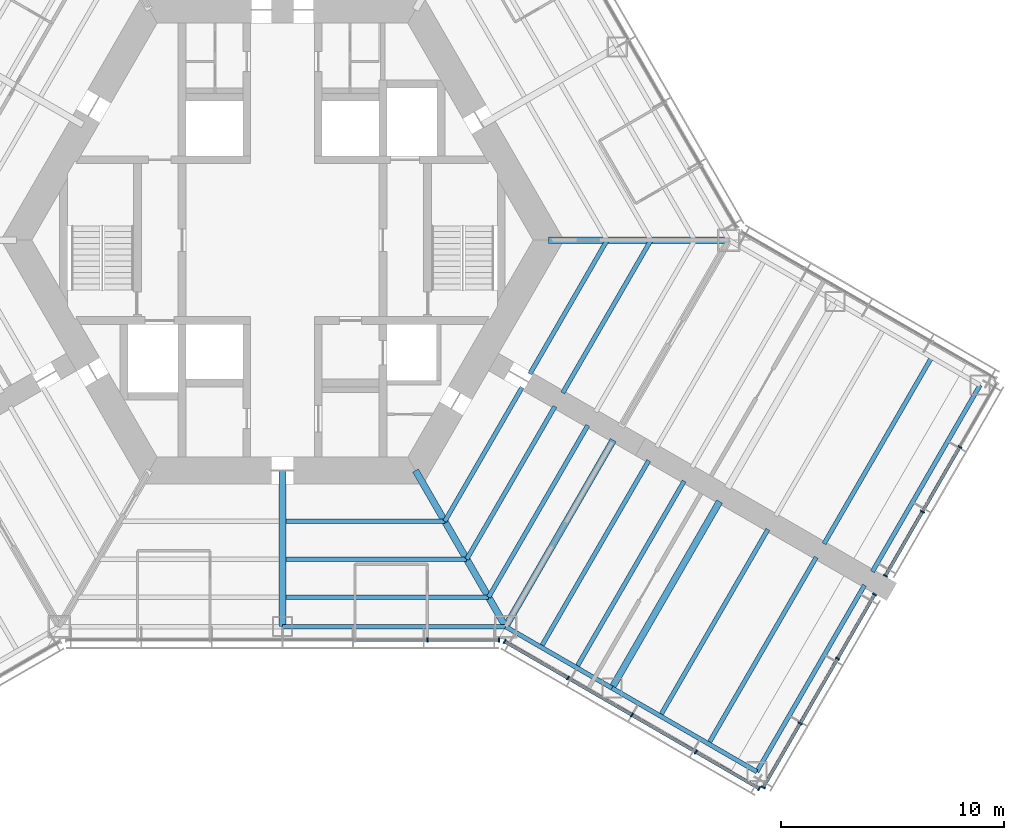
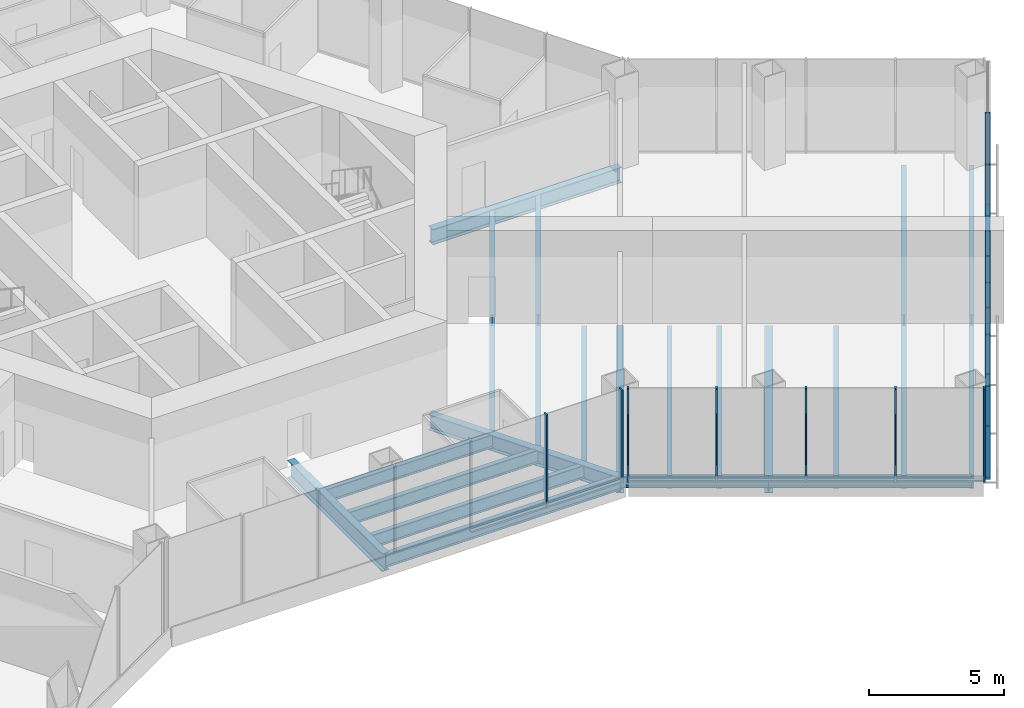
# One storey, part 4 of 17: 25 members, 23 beams, 4 elements without a shape of their own.
"""IFC4 building model written with IfcOpenShell, lengths in metres."""

import ifcopenshell
import ifcopenshell.guid

model = None  # the IFC model being written
_history = None  # IfcOwnerHistory: only IFC2X3 demands one
_inside = {}  # id of a spatial element -> (the spatial element, [elements in it])
_under = {}  # id of a project, library or spatial element -> (it, [spatial elements below it])
_declared = {}  # id of a project -> (the project, [libraries it declares])
_typed = {}  # id of a type object -> (the type object, [elements of that type])
_made_of = {}  # id of a material, layer set ... -> (it, [elements and type objects made of it])


def new_model(schema):
    """Start an empty IFC model of exactly this schema.

    Asked for "IFC4X3", IfcOpenShell would pick the latest addendum, in which some entities
    have other attributes; the version numbers below select the first issue.
    IFC2X3 requires an IfcOwnerHistory on every rooted entity: one is made here for all.
    """
    global model, _history
    if schema == "IFC4X3":
        model = ifcopenshell.file(schema_version=(4, 3, 0, 0))
    else:
        model = ifcopenshell.file(schema=schema)
    _inside.clear()
    _under.clear()
    _declared.clear()
    _typed.clear()
    _made_of.clear()
    _history = None
    if model.schema == "IFC2X3":
        org = make("IfcOrganization", Name="unknown")
        user = make(
            "IfcPersonAndOrganization",
            ThePerson=make("IfcPerson", FamilyName="unknown"),
            TheOrganization=org,
        )
        app = make(
            "IfcApplication",
            ApplicationDeveloper=org,
            Version="unknown",
            ApplicationFullName="unknown",
            ApplicationIdentifier="unknown",
        )
        _history = make(
            "IfcOwnerHistory",
            OwningUser=user,
            OwningApplication=app,
            ChangeAction="ADDED",
            CreationDate=0,
        )
    return model


def make(cls, **values):
    """One entity of the class cls with the attributes given. An attribute that is None is left unset."""
    return model.create_entity(
        cls, **{name: value for name, value in values.items() if value is not None}
    )


def rooted(cls, **values):
    """An entity with a GlobalId (a new one), such as an element, a storey or a relation."""
    return make(cls, GlobalId=ifcopenshell.guid.new(), OwnerHistory=_history, **values)


def si_unit(unit_type, name, prefix=None):
    """IfcSIUnit, for example si_unit("LENGTHUNIT", "METRE", prefix="MILLI")."""
    return make("IfcSIUnit", UnitType=unit_type, Prefix=prefix, Name=name)


def assignment(units):
    """IfcUnitAssignment: the units of a project."""
    return None if units is None else make("IfcUnitAssignment", Units=units)


def point(xyz):
    """IfcCartesianPoint."""
    return None if xyz is None else make("IfcCartesianPoint", Coordinates=xyz)


def direction(xyz):
    """IfcDirection."""
    return None if xyz is None else make("IfcDirection", DirectionRatios=xyz)


def frame(location, z_axis=None, x_axis=None):
    """IfcAxis2Placement3D, a coordinate frame: its origin and axes. An axis left out is left unset."""
    return make(
        "IfcAxis2Placement3D",
        Location=point(location),
        Axis=direction(z_axis),
        RefDirection=direction(x_axis),
    )


def frame_2d(location, x_axis=None):
    """IfcAxis2Placement2D, a coordinate frame in the plane: its origin and x axis."""
    return make(
        "IfcAxis2Placement2D", Location=point(location), RefDirection=direction(x_axis)
    )


def origin():
    """The frame at (0, 0, 0) with its axes left unset."""
    return frame((0.0, 0.0, 0.0))


def origin_2d():
    """The frame at (0, 0) in the plane with its x axis left unset."""
    return frame_2d((0.0, 0.0))


def place(relative_to, where):
    """IfcLocalPlacement: puts the frame where relative to a parent placement (None: the world)."""
    return make(
        "IfcLocalPlacement", PlacementRelTo=relative_to, RelativePlacement=where
    )


def context(
    kind, dimensions, precision=None, world=None, true_north=None, identifier=None
):
    """IfcGeometricRepresentationContext, for example the 3D "Model" context."""
    return make(
        "IfcGeometricRepresentationContext",
        ContextIdentifier=identifier,
        ContextType=kind,
        CoordinateSpaceDimension=dimensions,
        Precision=precision,
        WorldCoordinateSystem=world,
        TrueNorth=true_north,
    )


def subcontext(parent, identifier, kind, view, scale=None):
    """IfcGeometricRepresentationSubContext, for example "Body" below "Model"."""
    return make(
        "IfcGeometricRepresentationSubContext",
        ContextIdentifier=identifier,
        ContextType=kind,
        ParentContext=parent,
        TargetScale=scale,
        TargetView=view,
    )


def project(units=None, contexts=None):
    """IfcProject with its units and contexts."""
    return rooted(
        "IfcProject",
        Name="project",
        RepresentationContexts=contexts,
        UnitsInContext=assignment(units),
    )


def spatial(cls, under=None, at=None, **own):
    """A site, building, storey or space (cls), placed at a placement, below another one or the project."""
    s = rooted(cls, ObjectPlacement=at, **own)
    if under is not None:
        _under.setdefault(under.id(), (under, []))[1].append(s)
    return s


def profile(cls, at=None, kind="AREA", **sizes):
    """A parametric profile (cls). Its sizes go by their IFC names, for example OverallWidth=200.0."""
    return make(cls, ProfileType=kind, Position=at, **sizes)


def rectangle(**sizes):
    """IfcRectangleProfileDef."""
    return profile("IfcRectangleProfileDef", **sizes)


def i_section(**sizes):
    """IfcIShapeProfileDef."""
    return profile("IfcIShapeProfileDef", **sizes)


def extrude(swept, where, along, depth):
    """IfcExtrudedAreaSolid: the profile swept, set in the frame where, extruded along a direction by depth."""
    return make(
        "IfcExtrudedAreaSolid",
        SweptArea=swept,
        Position=where,
        ExtrudedDirection=direction(along),
        Depth=depth,
    )


def shape(context_of_items, identifier, shape_type, items):
    """IfcShapeRepresentation: the items that make up one representation, for example the "Body"."""
    return make(
        "IfcShapeRepresentation",
        ContextOfItems=context_of_items,
        RepresentationIdentifier=identifier,
        RepresentationType=shape_type,
        Items=items,
    )


def material(Name=None, Category=None):
    """IfcMaterial."""
    return make("IfcMaterial", Name=Name, Category=Category)


def material_profile(
    of_material, cross_section, Name=None, Category=None, Priority=None
):
    """IfcMaterialProfile: a cross section and its material."""
    return make(
        "IfcMaterialProfile",
        Name=Name,
        Material=of_material,
        Profile=cross_section,
        Priority=Priority,
        Category=Category,
    )


def profile_set(profiles, Name=None, composite=None):
    """IfcMaterialProfileSet."""
    return make(
        "IfcMaterialProfileSet",
        Name=Name,
        MaterialProfiles=profiles,
        CompositeProfile=composite,
    )


def made_of(thing, what):
    """Note that an element or type object is made of a material, layer set ...; save() writes the relation."""
    if what is not None:
        _made_of.setdefault(what.id(), (what, []))[1].append(thing)
    return thing


def type_object(cls, material=None, **own):
    """A type object (cls), such as IfcWallType, which elements share."""
    return made_of(rooted(cls, **own), material)


def element(
    cls,
    number,
    at=None,
    inside=None,
    cuts=None,
    type_object=None,
    material=None,
    context=None,
    identifier="Body",
    shape_type=None,
    held_by="IfcProductDefinitionShape",
    body=None,
    shapes=None,
    **own,
):
    """One element of the class cls, such as IfcWall. Its Tag is "e" and its number.

    at: its placement. inside: the storey or other place that contains it. cuts: it is an
    opening in that element (IfcRelVoidsElement). A single representation is given by context,
    identifier, shape_type and body (its items); several are given by shapes. held_by: the class
    of the entity that holds the representations. save() writes the other relations.
    """
    e = rooted(cls, Tag="e%d" % number, ObjectPlacement=at, **own)
    if body is not None:
        shapes = [shape(context, identifier, shape_type, body)]
    if shapes is not None:
        e.Representation = make(held_by, Representations=shapes)
    if inside is not None:
        _inside.setdefault(inside.id(), (inside, []))[1].append(e)
    if cuts is not None:
        rooted(
            "IfcRelVoidsElement", RelatingBuildingElement=cuts, RelatedOpeningElement=e
        )
    if type_object is not None:
        _typed.setdefault(type_object.id(), (type_object, []))[1].append(e)
    return made_of(e, material)


def aggregate(whole, parts):
    """IfcRelAggregates: a whole, such as a stair, and the parts it consists of."""
    return rooted("IfcRelAggregates", RelatingObject=whole, RelatedObjects=parts)


def save(model, path):
    """Write the relations noted so far, then the file.

    IfcRelAggregates (storeys below a building ...), IfcRelContainedInSpatialStructure (elements
    in a storey), IfcRelDefinesByType, IfcRelAssociatesMaterial and IfcRelDeclares: one each for
    every whole, place, type object, material and project.
    """
    for whole, parts in _under.values():
        aggregate(whole, parts)
    for where, things in _inside.values():
        rooted(
            "IfcRelContainedInSpatialStructure",
            RelatedElements=things,
            RelatingStructure=where,
        )
    for kind, things in _typed.values():
        rooted("IfcRelDefinesByType", RelatedObjects=things, RelatingType=kind)
    for what, things in _made_of.values():
        rooted("IfcRelAssociatesMaterial", RelatedObjects=things, RelatingMaterial=what)
    for by, libraries in _declared.values():
        rooted("IfcRelDeclares", RelatingContext=by, RelatedDefinitions=libraries)
    model.write(path)


model = new_model("IFC4")

# Units and contexts
model_context = context("Model", 3, precision=1e-05, world=origin(), true_north=direction((0.0, 1.0)))
body_context = subcontext(model_context, "Body", "Model", "MODEL_VIEW")
ifc_project = project(units=[si_unit("LENGTHUNIT", "METRE"), si_unit("AREAUNIT", "SQUARE_METRE"), si_unit("VOLUMEUNIT", "CUBIC_METRE"), si_unit("PLANEANGLEUNIT", "RADIAN"), si_unit("MASSUNIT", "GRAM", prefix="KILO")], contexts=[model_context])

# Site, building, storey
site_placement = place(None, origin())
site = spatial("IfcSite", under=ifc_project, at=site_placement, CompositionType="ELEMENT")
building_placement = place(site_placement, origin())
building = spatial("IfcBuilding", under=site, at=building_placement, Name="Kasaneha Research Tower", CompositionType="ELEMENT")
storey_placement = place(building_placement, frame((0.0, 0.0, 43.60009765625)))
storey = spatial("IfcBuildingStorey", under=building, at=storey_placement, Name="L11", CompositionType="ELEMENT", Elevation=43.60009765625)

# Beams
ifc_material_1 = material(Name="Steel SN490B", Category="steel")
ifc_material_profile_1 = material_profile(ifc_material_1, i_section(OverallWidth=0.199951171875, OverallDepth=0.60009765625, WebThickness=0.010986328125, FlangeThickness=0.01708984375, FilletRadius=0.012939453125, at=origin_2d()), Name="H-600x200x11x17")
ifc_profile_set_1 = profile_set([ifc_material_profile_1], Name="Steel SN490B")
beam_type_1 = type_object("IfcBeamType", Name="B1-2 secondary beam H-600x200x11x17", PredefinedType="JOIST", material=ifc_profile_set_1)
beam_1_placement = place(storey_placement, frame((7.274658203125, -12.60009765625, -0.47021484375), z_axis=(-1.0, 0.0, 0.0), x_axis=(0.0, -1.0, 0.0)))
element("IfcBeam", 1, at=beam_1_placement, inside=storey, type_object=beam_type_1, Name="Secondary beam RS270R1 L11", PredefinedType="JOIST", context=body_context, shape_type="SweptSolid", body=[
    extrude(i_section(OverallWidth=0.199951171875, OverallDepth=0.60009765625, WebThickness=0.010986328125, FlangeThickness=0.01708984375, FilletRadius=0.012939453125, at=origin_2d()), origin(), (0.0, 0.0, 1.0), 7.124755859375),
])
beam_2_placement = place(storey_placement, frame((8.256103515625, -14.300048828125, -0.47021484375), z_axis=(-1.0, 0.0, 0.0), x_axis=(0.0, -1.0, 0.0)))
element("IfcBeam", 2, at=beam_2_placement, inside=storey, type_object=beam_type_1, Name="Secondary beam RS270R2 L11", PredefinedType="JOIST", context=body_context, shape_type="SweptSolid", body=[
    extrude(i_section(OverallWidth=0.199951171875, OverallDepth=0.60009765625, WebThickness=0.010986328125, FlangeThickness=0.01708984375, FilletRadius=0.012939453125, at=origin_2d()), origin(), (0.0, 0.0, 1.0), 8.106201171875),
])
beam_3_placement = place(storey_placement, frame((9.237548828125, -16.0, -0.47021484375), z_axis=(-1.0, 0.0, 0.0), x_axis=(0.0, -1.0, 0.0)))
element("IfcBeam", 3, at=beam_3_placement, inside=storey, type_object=beam_type_1, Name="Secondary beam RS270R3 L11", PredefinedType="JOIST", context=body_context, shape_type="SweptSolid", body=[
    extrude(i_section(OverallWidth=0.199951171875, OverallDepth=0.60009765625, WebThickness=0.010986328125, FlangeThickness=0.01708984375, FilletRadius=0.012939453125, at=origin_2d()), origin(), (0.0, 0.0, 1.0), 9.087646484375),
])
beam_4_placement = place(storey_placement, frame((7.274658203125, -12.60009765625, -0.47021484375), z_axis=(0.499972710878, 0.866041158593, 0.0), x_axis=(-0.866041158593, 0.499972710878, 0.0)))
element("IfcBeam", 4, at=beam_4_placement, inside=storey, type_object=beam_type_1, Name="Secondary beam RS330L1 L11", PredefinedType="JOIST", context=body_context, shape_type="SweptSolid", body=[
    extrude(i_section(OverallWidth=0.199951171875, OverallDepth=0.60009765625, WebThickness=0.010986328125, FlangeThickness=0.01708984375, FilletRadius=0.012939453125, at=origin_2d()), origin(), (0.0, 0.0, 1.0), 6.9248046875),
])
beam_5_placement = place(storey_placement, frame((8.256103515625, -14.300048828125, -0.47021484375), z_axis=(0.500004902938, 0.866022573054, 0.0), x_axis=(-0.866022573054, 0.500004902938, 0.0)))
element("IfcBeam", 5, at=beam_5_placement, inside=storey, type_object=beam_type_1, Name="Secondary beam RS330L2 L11", PredefinedType="JOIST", context=body_context, shape_type="SweptSolid", body=[
    extrude(i_section(OverallWidth=0.199951171875, OverallDepth=0.60009765625, WebThickness=0.010986328125, FlangeThickness=0.01708984375, FilletRadius=0.012939453125, at=origin_2d()), origin(), (0.0, 0.0, 1.0), 7.90625),
])
beam_6_placement = place(storey_placement, frame((9.237548828125, -16.0, -0.47021484375), z_axis=(0.500009382636, 0.866019986649, 0.0), x_axis=(-0.866019986649, 0.500009382636, 0.0)))
element("IfcBeam", 6, at=beam_6_placement, inside=storey, type_object=beam_type_1, Name="Secondary beam RS330L3 L11", PredefinedType="JOIST", context=body_context, shape_type="SweptSolid", body=[
    extrude(i_section(OverallWidth=0.199951171875, OverallDepth=0.60009765625, WebThickness=0.010986328125, FlangeThickness=0.01708984375, FilletRadius=0.012939453125, at=origin_2d()), origin(), (0.0, 0.0, 1.0), 8.887451171875),
])
beam_7_placement = place(storey_placement, frame((14.54931640625, 0.0, -0.47021484375), z_axis=(-0.500014420154, -0.866017078145, 0.0), x_axis=(0.866017078145, -0.500014420154, 0.0)))
element("IfcBeam", 7, at=beam_7_placement, inside=storey, type_object=beam_type_1, Name="Secondary beam RS330R1 L11", PredefinedType="JOIST", context=body_context, shape_type="SweptSolid", body=[
    extrude(i_section(OverallWidth=0.199951171875, OverallDepth=0.60009765625, WebThickness=0.010986328125, FlangeThickness=0.01708984375, FilletRadius=0.012939453125, at=origin_2d()), origin(), (0.0, 0.0, 1.0), 6.924560546875),
])
beam_8_placement = place(storey_placement, frame((16.51220703125, 0.0, -0.47021484375), z_axis=(-0.500004902938, -0.866022573054, 0.0), x_axis=(0.866022573054, -0.500004902938, 0.0)))
element("IfcBeam", 8, at=beam_8_placement, inside=storey, type_object=beam_type_1, Name="Secondary beam RS330R2 L11", PredefinedType="JOIST", context=body_context, shape_type="SweptSolid", body=[
    extrude(i_section(OverallWidth=0.199951171875, OverallDepth=0.60009765625, WebThickness=0.010986328125, FlangeThickness=0.01708984375, FilletRadius=0.012939453125, at=origin_2d()), origin(), (0.0, 0.0, 1.0), 7.90625),
])
ifc_material_2 = material(Name="Steel SN490B", Category="steel")
ifc_material_profile_2 = material_profile(ifc_material_2, i_section(OverallWidth=0.198974609375, OverallDepth=0.595947265625, WebThickness=0.010009765625, FlangeThickness=0.014892578125, FilletRadius=0.012939453125, at=origin_2d()), Name="H-596x199x10x15")
ifc_profile_set_2 = profile_set([ifc_material_profile_2], Name="Steel SN490B")
beam_type_2 = type_object("IfcBeamType", Name="B2-2 secondary beam H-596x199x10x15", PredefinedType="JOIST", material=ifc_profile_set_2)
for number, where, z_axis, x_axis, name in (
    (9, (11.587646484375, -18.237060546875, -0.468017578125), (0.50000569793, 0.866022114058, 0.0), (-0.866022114058, 0.50000569793, 0.0), "Secondary beam WBCP1 L11"),
    (10, (13.175537109375, -19.15380859375, -0.468017578125), (0.499994742786, 0.866028439017, 0.0), (-0.866028439017, 0.499994742786, 0.0), "Secondary beam WBCP2 L11"),
    (11, (16.92822265625, -21.320556640625, -0.468017578125), (0.499994742786, 0.866028439017, 0.0), (-0.866028439017, 0.499994742786, 0.0), "Secondary beam WBCP3 L11"),
    (12, (19.09326171875, -22.570556640625, -0.468017578125), (0.499994742786, 0.866028439017, 0.0), (-0.866028439017, 0.499994742786, 0.0), "Secondary beam WBCP4 L11"),
    (13, (29.09326171875, -5.25, -0.468017578125), (-0.499994742786, -0.866028439017, 0.0), (0.866028439017, -0.499994742786, 0.0), "Secondary beam WBCN4 L11"),
):
    element("IfcBeam", number, at=place(storey_placement, frame(where, z_axis=z_axis, x_axis=x_axis)), inside=storey, type_object=beam_type_2, Name=name, PredefinedType="JOIST", context=body_context, shape_type="SweptSolid", body=[
        extrude(i_section(OverallWidth=0.198974609375, OverallDepth=0.595947265625, WebThickness=0.010009765625, FlangeThickness=0.014892578125, FilletRadius=0.012939453125, at=origin_2d()), origin(), (0.0, 0.0, 1.0), 9.64990234375),
    ])

# Curtain wall, members
ifc_material_3 = material(Name="Glass and aluminium", Category="aluminium")
curtain_wall_type = type_object("IfcCurtainWallType", Name="Dry laboratory curtain wall", PredefinedType="USERDEFINED", material=ifc_material_3)
curtain_wall_1_placement = place(storey_placement, origin())
curtain_wall_1 = element("IfcCurtainWall", 14, at=curtain_wall_1_placement, inside=storey, type_object=curtain_wall_type, Name="CW-L2 L11 run 02a", ObjectType="UNITISED CURTAIN WALL", PredefinedType="USERDEFINED")
ifc_material_4 = material(Name="Aluminium 6063-T6", Category="aluminium")
ifc_material_profile_3 = material_profile(ifc_material_4, rectangle(XDim=0.06494140625, YDim=0.199951171875, at=origin_2d()), Name="CW-L2 mullion 65x200")
ifc_profile_set_3 = profile_set([ifc_material_profile_3], Name="Aluminium 6063-T6")
member_type_1 = type_object("IfcMemberType", Name="CW-L2 mullion", PredefinedType="MULLION", material=ifc_profile_set_3)
member_1_placement = place(storey_placement, frame((6.492919921875, -17.92041015625, 0.0), z_axis=(0.0, 0.0, 1.0), x_axis=(1.0, 0.0, 0.0)))
member_1 = element("IfcMember", 15, at=member_1_placement, type_object=member_type_1, Name="CW-L2 mullion 6", PredefinedType="MULLION", context=body_context, shape_type="SweptSolid", body=[
    extrude(rectangle(XDim=0.06494140625, YDim=0.199951171875, at=origin_2d()), origin(), (0.0, 0.0, 1.0), 4.199951171875),
])
member_2_placement = place(storey_placement, frame((9.706787109375, -17.92041015625, 0.0), z_axis=(0.0, 0.0, 1.0), x_axis=(1.0, 0.0, 0.0)))
member_2 = element("IfcMember", 16, at=member_2_placement, type_object=member_type_1, Name="CW-L2 mullion 7", PredefinedType="MULLION", context=body_context, shape_type="SweptSolid", body=[
    extrude(rectangle(XDim=0.06494140625, YDim=0.199951171875, at=origin_2d()), origin(), (0.0, 0.0, 1.0), 4.199951171875),
])

curtain_wall_2_placement = place(storey_placement, origin())
curtain_wall_2 = element("IfcCurtainWall", 17, at=curtain_wall_2_placement, inside=storey, type_object=curtain_wall_type, Name="CW-L2 L11 run 03a", ObjectType="UNITISED CURTAIN WALL", PredefinedType="USERDEFINED")
member_3_placement = place(storey_placement, frame((9.953857421875, -17.98681640625, 0.0), z_axis=(0.0, 0.0, 1.0), x_axis=(0.866025411464, -0.499999986699, 0.0)))
member_3 = element("IfcMember", 18, at=member_3_placement, type_object=member_type_1, Name="CW-L2 mullion 1", PredefinedType="MULLION", context=body_context, shape_type="SweptSolid", body=[
    extrude(rectangle(XDim=0.06494140625, YDim=0.199951171875, at=origin_2d()), origin(), (0.0, 0.0, 1.0), 4.199951171875),
])
member_4_placement = place(storey_placement, frame((12.792236328125, -19.62548828125, 0.0), z_axis=(0.0, 0.0, 1.0), x_axis=(0.866025411464, -0.499999986699, 0.0)))
member_4 = element("IfcMember", 19, at=member_4_placement, type_object=member_type_1, Name="CW-L2 mullion 2", PredefinedType="MULLION", context=body_context, shape_type="SweptSolid", body=[
    extrude(rectangle(XDim=0.06494140625, YDim=0.199951171875, at=origin_2d()), origin(), (0.0, 0.0, 1.0), 4.199951171875),
])
member_5_placement = place(storey_placement, frame((15.65869140625, -21.2802734375, 0.0), z_axis=(0.0, 0.0, 1.0), x_axis=(0.866025411464, -0.499999986699, 0.0)))
member_5 = element("IfcMember", 20, at=member_5_placement, type_object=member_type_1, Name="CW-L2 mullion 3", PredefinedType="MULLION", context=body_context, shape_type="SweptSolid", body=[
    extrude(rectangle(XDim=0.06494140625, YDim=0.199951171875, at=origin_2d()), origin(), (0.0, 0.0, 1.0), 4.199951171875),
])
member_6_placement = place(storey_placement, frame((18.52490234375, -22.935302734375, 0.0), z_axis=(0.0, 0.0, 1.0), x_axis=(0.866025411464, -0.499999986699, 0.0)))
member_6 = element("IfcMember", 21, at=member_6_placement, type_object=member_type_1, Name="CW-L2 mullion 4", PredefinedType="MULLION", context=body_context, shape_type="SweptSolid", body=[
    extrude(rectangle(XDim=0.06494140625, YDim=0.199951171875, at=origin_2d()), origin(), (0.0, 0.0, 1.0), 4.199951171875),
])
member_7_placement = place(storey_placement, frame((21.36328125, -24.573974609375, 0.0), z_axis=(0.0, 0.0, 1.0), x_axis=(0.866025411464, -0.499999986699, 0.0)))
member_7 = element("IfcMember", 22, at=member_7_placement, type_object=member_type_1, Name="CW-L2 mullion 5", PredefinedType="MULLION", context=body_context, shape_type="SweptSolid", body=[
    extrude(rectangle(XDim=0.06494140625, YDim=0.199951171875, at=origin_2d()), origin(), (0.0, 0.0, 1.0), 4.199951171875),
])

curtain_wall_3_placement = place(storey_placement, origin())
curtain_wall_3 = element("IfcCurtainWall", 23, at=curtain_wall_3_placement, inside=storey, type_object=curtain_wall_type, Name="CW-L2 L11 run 04a", ObjectType="UNITISED CURTAIN WALL", PredefinedType="USERDEFINED")
member_8_placement = place(storey_placement, frame((21.544189453125, -24.525390625, 0.0), z_axis=(0.0, 0.0, 1.0), x_axis=(0.500000011442, 0.866025397178, 0.0)))
member_8 = element("IfcMember", 24, at=member_8_placement, type_object=member_type_1, Name="CW-L2 mullion 1", PredefinedType="MULLION", context=body_context, shape_type="SweptSolid", body=[
    extrude(rectangle(XDim=0.06494140625, YDim=0.199951171875, at=origin_2d()), origin(), (0.0, 0.0, 1.0), 4.199951171875),
])
member_9_placement = place(storey_placement, frame((23.202880859375, -21.65234375, 0.0), z_axis=(0.0, 0.0, 1.0), x_axis=(0.500000011442, 0.866025397178, 0.0)))
member_9 = element("IfcMember", 25, at=member_9_placement, type_object=member_type_1, Name="CW-L2 mullion 2", PredefinedType="MULLION", context=body_context, shape_type="SweptSolid", body=[
    extrude(rectangle(XDim=0.06494140625, YDim=0.199951171875, at=origin_2d()), origin(), (0.0, 0.0, 1.0), 4.199951171875),
])
member_10_placement = place(storey_placement, frame((24.8779296875, -18.751220703125, 0.0), z_axis=(0.0, 0.0, 1.0), x_axis=(0.500000011442, 0.866025397178, 0.0)))
member_10 = element("IfcMember", 26, at=member_10_placement, type_object=member_type_1, Name="CW-L2 mullion 3", PredefinedType="MULLION", context=body_context, shape_type="SweptSolid", body=[
    extrude(rectangle(XDim=0.06494140625, YDim=0.199951171875, at=origin_2d()), origin(), (0.0, 0.0, 1.0), 4.199951171875),
])
member_11_placement = place(storey_placement, frame((26.53662109375, -15.878173828125, 0.0), z_axis=(0.0, 0.0, 1.0), x_axis=(0.500000011442, 0.866025397178, 0.0)))
member_11 = element("IfcMember", 27, at=member_11_placement, type_object=member_type_1, Name="CW-L2 mullion 4", PredefinedType="MULLION", context=body_context, shape_type="SweptSolid", body=[
    extrude(rectangle(XDim=0.06494140625, YDim=0.199951171875, at=origin_2d()), origin(), (0.0, 0.0, 1.0), 4.199951171875),
])

curtain_wall_4_placement = place(storey_placement, origin())
curtain_wall_4 = element("IfcCurtainWall", 28, at=curtain_wall_4_placement, inside=storey, type_object=curtain_wall_type, Name="CW-L2 L11 run 05a", ObjectType="UNITISED CURTAIN WALL", PredefinedType="USERDEFINED")
member_12_placement = place(storey_placement, frame((27.019287109375, -15.04248046875, 0.0), z_axis=(0.0, 0.0, 1.0), x_axis=(0.500000011442, 0.866025397178, 0.0)))
member_12 = element("IfcMember", 29, at=member_12_placement, type_object=member_type_1, Name="CW-L2 mullion 1", PredefinedType="MULLION", context=body_context, shape_type="SweptSolid", body=[
    extrude(rectangle(XDim=0.06494140625, YDim=0.199951171875, at=origin_2d()), origin(), (0.0, 0.0, 1.0), 4.199951171875),
])
member_13_placement = place(storey_placement, frame((28.677978515625, -12.16943359375, 0.0), z_axis=(0.0, 0.0, 1.0), x_axis=(0.500000011442, 0.866025397178, 0.0)))
member_13 = element("IfcMember", 30, at=member_13_placement, type_object=member_type_1, Name="CW-L2 mullion 2", PredefinedType="MULLION", context=body_context, shape_type="SweptSolid", body=[
    extrude(rectangle(XDim=0.06494140625, YDim=0.199951171875, at=origin_2d()), origin(), (0.0, 0.0, 1.0), 4.199951171875),
])
member_14_placement = place(storey_placement, frame((30.35302734375, -9.26806640625, 0.0), z_axis=(0.0, 0.0, 1.0), x_axis=(0.500000011442, 0.866025397178, 0.0)))
member_14 = element("IfcMember", 31, at=member_14_placement, type_object=member_type_1, Name="CW-L2 mullion 3", PredefinedType="MULLION", context=body_context, shape_type="SweptSolid", body=[
    extrude(rectangle(XDim=0.06494140625, YDim=0.199951171875, at=origin_2d()), origin(), (0.0, 0.0, 1.0), 4.199951171875),
])

# Member
ifc_material_5 = material(Name="Aluminium 6063-T6", Category="aluminium")
ifc_material_profile_4 = material_profile(ifc_material_5, rectangle(XDim=0.14990234375, YDim=0.06494140625, at=origin_2d()), Name="CW-L2 transom 150x65")
ifc_profile_set_4 = profile_set([ifc_material_profile_4], Name="Aluminium 6063-T6")
member_type_2 = type_object("IfcMemberType", Name="CW-L2 transom", PredefinedType="USERDEFINED", material=ifc_profile_set_4)
member_15_placement = place(storey_placement, frame((3.27880859375, -17.92041015625, 0.032470703125), z_axis=(1.0, 0.0, 0.0), x_axis=(0.0, 1.0, 0.0)))
member_15 = element("IfcMember", 32, at=member_15_placement, type_object=member_type_2, Name="CW-L2 transom 5", ObjectType="TRANSOM", PredefinedType="USERDEFINED", context=body_context, shape_type="SweptSolid", body=[
    extrude(rectangle(XDim=0.14990234375, YDim=0.06494140625, at=origin_2d()), origin(), (0.0, 0.0, 1.0), 3.181396484375),
])

member_16_placement = place(storey_placement, frame((6.525390625, -17.92041015625, 0.032470703125), z_axis=(1.0, 0.0, 0.0), x_axis=(0.0, 1.0, 0.0)))
member_16 = element("IfcMember", 33, at=member_16_placement, type_object=member_type_2, Name="CW-L2 transom 6", ObjectType="TRANSOM", PredefinedType="USERDEFINED", context=body_context, shape_type="SweptSolid", body=[
    extrude(rectangle(XDim=0.14990234375, YDim=0.06494140625, at=origin_2d()), origin(), (0.0, 0.0, 1.0), 3.14892578125),
])

aggregate(curtain_wall_1, [member_1, member_2, member_15, member_16])

member_17_placement = place(storey_placement, frame((9.982177734375, -18.0029296875, 0.032470703125), z_axis=(0.866022320763, -0.500005339912, 0.0), x_axis=(0.500005339912, 0.866022320763, 0.0)))
member_17 = element("IfcMember", 34, at=member_17_placement, type_object=member_type_2, Name="CW-L2 transom 1", ObjectType="TRANSOM", PredefinedType="USERDEFINED", context=body_context, shape_type="SweptSolid", body=[
    extrude(rectangle(XDim=0.14990234375, YDim=0.06494140625, at=origin_2d()), origin(), (0.0, 0.0, 1.0), 3.21240234375),
])

member_18_placement = place(storey_placement, frame((12.8203125, -19.6416015625, 0.032470703125), z_axis=(0.866002649306, -0.500039409842, 0.0), x_axis=(0.500039409842, 0.866002649306, 0.0)))
member_18 = element("IfcMember", 35, at=member_18_placement, type_object=member_type_2, Name="CW-L2 transom 2", ObjectType="TRANSOM", PredefinedType="USERDEFINED", context=body_context, shape_type="SweptSolid", body=[
    extrude(rectangle(XDim=0.14990234375, YDim=0.06494140625, at=origin_2d()), origin(), (0.0, 0.0, 1.0), 3.244873046875),
])

member_19_placement = place(storey_placement, frame((15.686767578125, -21.296630859375, 0.032470703125), z_axis=(0.866035229914, -0.499982980259, 0.0), x_axis=(0.499982980259, 0.866035229914, 0.0)))
member_19 = element("IfcMember", 36, at=member_19_placement, type_object=member_type_2, Name="CW-L2 transom 3", ObjectType="TRANSOM", PredefinedType="USERDEFINED", context=body_context, shape_type="SweptSolid", body=[
    extrude(rectangle(XDim=0.14990234375, YDim=0.06494140625, at=origin_2d()), origin(), (0.0, 0.0, 1.0), 3.24462890625),
])

member_20_placement = place(storey_placement, frame((18.55322265625, -22.951416015625, 0.032470703125), z_axis=(0.86600331843, -0.500038251005, 0.0), x_axis=(0.500038251005, 0.86600331843, 0.0)))
member_20 = element("IfcMember", 37, at=member_20_placement, type_object=member_type_2, Name="CW-L2 transom 4", ObjectType="TRANSOM", PredefinedType="USERDEFINED", context=body_context, shape_type="SweptSolid", body=[
    extrude(rectangle(XDim=0.14990234375, YDim=0.06494140625, at=origin_2d()), origin(), (0.0, 0.0, 1.0), 3.212158203125),
])

aggregate(curtain_wall_2, [member_3, member_4, member_5, member_6, member_7, member_17, member_18, member_19, member_20])

member_21_placement = place(storey_placement, frame((21.560546875, -24.497314453125, 0.032470703125), z_axis=(0.499973687205, 0.866040594951, 0.0), x_axis=(-0.866040594951, 0.499973687205, 0.0)))
member_21 = element("IfcMember", 38, at=member_21_placement, type_object=member_type_2, Name="CW-L2 transom 1", ObjectType="TRANSOM", PredefinedType="USERDEFINED", context=body_context, shape_type="SweptSolid", body=[
    extrude(rectangle(XDim=0.14990234375, YDim=0.06494140625, at=origin_2d()), origin(), (0.0, 0.0, 1.0), 3.252685546875),
])

member_22_placement = place(storey_placement, frame((23.21923828125, -21.624267578125, 0.032470703125), z_axis=(0.50000765355, 0.86602098496, 0.0), x_axis=(-0.86602098496, 0.50000765355, 0.0)))
member_22 = element("IfcMember", 39, at=member_22_placement, type_object=member_type_2, Name="CW-L2 transom 2", ObjectType="TRANSOM", PredefinedType="USERDEFINED", context=body_context, shape_type="SweptSolid", body=[
    extrude(rectangle(XDim=0.14990234375, YDim=0.06494140625, at=origin_2d()), origin(), (0.0, 0.0, 1.0), 3.28515625),
])

member_23_placement = place(storey_placement, frame((24.894287109375, -18.722900390625, 0.032470703125), z_axis=(0.500006189695, 0.866021830133, 0.0), x_axis=(-0.866021830133, 0.500006189695, 0.0)))
member_23 = element("IfcMember", 40, at=member_23_placement, type_object=member_type_2, Name="CW-L2 transom 3", ObjectType="TRANSOM", PredefinedType="USERDEFINED", context=body_context, shape_type="SweptSolid", body=[
    extrude(rectangle(XDim=0.14990234375, YDim=0.06494140625, at=origin_2d()), origin(), (0.0, 0.0, 1.0), 3.25244140625),
])

aggregate(curtain_wall_3, [member_8, member_9, member_10, member_11, member_21, member_22, member_23])

member_24_placement = place(storey_placement, frame((27.035400390625, -15.01416015625, 0.032470703125), z_axis=(0.500006189695, 0.866021830133, 0.0), x_axis=(-0.866021830133, 0.500006189695, 0.0)))
member_24 = element("IfcMember", 41, at=member_24_placement, type_object=member_type_2, Name="CW-L2 transom 1", ObjectType="TRANSOM", PredefinedType="USERDEFINED", context=body_context, shape_type="SweptSolid", body=[
    extrude(rectangle(XDim=0.14990234375, YDim=0.06494140625, at=origin_2d()), origin(), (0.0, 0.0, 1.0), 3.25244140625),
])

member_25_placement = place(storey_placement, frame((28.694091796875, -12.14111328125, 0.032470703125), z_axis=(0.500039835994, 0.866002403241, 0.0), x_axis=(-0.866002403241, 0.500039835994, 0.0)))
member_25 = element("IfcMember", 42, at=member_25_placement, type_object=member_type_2, Name="CW-L2 transom 2", ObjectType="TRANSOM", PredefinedType="USERDEFINED", context=body_context, shape_type="SweptSolid", body=[
    extrude(rectangle(XDim=0.14990234375, YDim=0.06494140625, at=origin_2d()), origin(), (0.0, 0.0, 1.0), 3.284912109375),
])

aggregate(curtain_wall_4, [member_12, member_13, member_14, member_24, member_25])

# Beams
ifc_material_6 = material(Name="Steel SN490B", Category="steel")
ifc_material_profile_5 = material_profile(ifc_material_6, i_section(OverallWidth=0.300048828125, OverallDepth=0.699951171875, WebThickness=0.012939453125, FlangeThickness=0.02392578125, FilletRadius=0.01806640625, at=origin_2d()), Name="H-700x300x13x24")
ifc_profile_set_5 = profile_set([ifc_material_profile_5], Name="Steel SN490B")
beam_type_3 = type_object("IfcBeamType", Name="G1-2 radial girder H-700x300x13x24", PredefinedType="BEAM", material=ifc_profile_set_5)
beam_9_placement = place(storey_placement, frame((11.92236328125, 0.0, -0.52001953125), z_axis=(1.0, 0.0, 0.0), x_axis=(0.0, 1.0, 0.0)))
element("IfcBeam", 43, at=beam_9_placement, inside=storey, type_object=beam_type_3, Name="Radial girder RV000 L11", PredefinedType="BEAM", context=body_context, shape_type="SweptSolid", body=[
    extrude(i_section(OverallWidth=0.300048828125, OverallDepth=0.699951171875, WebThickness=0.012939453125, FlangeThickness=0.02392578125, FilletRadius=0.01806640625, at=origin_2d()), origin(), (0.0, 0.0, 1.0), 8.07763671875),
])
beam_10_placement = place(storey_placement, frame((5.961181640625, -10.324951171875, -0.52001953125), z_axis=(0.49999105496, -0.866030568144, 0.0), x_axis=(0.866030568144, 0.49999105496, 0.0)))
element("IfcBeam", 44, at=beam_10_placement, inside=storey, type_object=beam_type_3, Name="Radial girder RV300 L11", PredefinedType="BEAM", context=body_context, shape_type="SweptSolid", body=[
    extrude(i_section(OverallWidth=0.300048828125, OverallDepth=0.699951171875, WebThickness=0.012939453125, FlangeThickness=0.02392578125, FilletRadius=0.01806640625, at=origin_2d()), origin(), (0.0, 0.0, 1.0), 8.077880859375),
])
ifc_material_7 = material(Name="Steel SN490B", Category="steel")
ifc_material_profile_6 = material_profile(ifc_material_7, i_section(OverallWidth=0.300048828125, OverallDepth=0.800048828125, WebThickness=0.013916015625, FlangeThickness=0.02587890625, FilletRadius=0.01806640625, at=origin_2d()), Name="H-800x300x14x26")
ifc_profile_set_6 = profile_set([ifc_material_profile_6], Name="Steel SN490B")
beam_type_4 = type_object("IfcBeamType", Name="G2-2 radial girder H-800x300x14x26", PredefinedType="BEAM", material=ifc_profile_set_6)
beam_11_placement = place(storey_placement, frame((0.0, -10.324951171875, -0.570068359375), z_axis=(0.0, -1.0, 0.0), x_axis=(1.0, 0.0, 0.0)))
element("IfcBeam", 45, at=beam_11_placement, inside=storey, type_object=beam_type_4, Name="Radial girder RM270 L11", PredefinedType="BEAM", context=body_context, shape_type="SweptSolid", body=[
    extrude(i_section(OverallWidth=0.300048828125, OverallDepth=0.800048828125, WebThickness=0.013916015625, FlangeThickness=0.02587890625, FilletRadius=0.01806640625, at=origin_2d()), origin(), (0.0, 0.0, 1.0), 6.99560546875),
])
ifc_material_8 = material(Name="Steel SN490B", Category="steel")
ifc_material_profile_7 = material_profile(ifc_material_8, i_section(OverallWidth=0.300048828125, OverallDepth=0.7919921875, WebThickness=0.013916015625, FlangeThickness=0.02197265625, FilletRadius=0.01806640625, at=origin_2d()), Name="H-792x300x14x22")
ifc_profile_set_7 = profile_set([ifc_material_profile_7], Name="Steel SN490B")
beam_type_5 = type_object("IfcBeamType", Name="G3-2 plate edge girder H-792x300x14x22", PredefinedType="BEAM", material=ifc_profile_set_7)
beam_12_placement = place(storey_placement, frame((10.0, -17.320556640625, -0.566162109375), z_axis=(0.499994742786, 0.866028439017, 0.0), x_axis=(-0.866028439017, 0.499994742786, 0.0)))
element("IfcBeam", 46, at=beam_12_placement, inside=storey, type_object=beam_type_5, Name="Plate edge girder PECP L11", PredefinedType="BEAM", context=body_context, shape_type="SweptSolid", body=[
    extrude(i_section(OverallWidth=0.300048828125, OverallDepth=0.7919921875, WebThickness=0.013916015625, FlangeThickness=0.02197265625, FilletRadius=0.01806640625, at=origin_2d()), origin(), (0.0, 0.0, 1.0), 9.64990234375),
])
ifc_material_9 = material(Name="Steel SN490B", Category="steel")
ifc_material_profile_8 = material_profile(ifc_material_9, i_section(OverallWidth=0.300048828125, OverallDepth=0.800048828125, WebThickness=0.013916015625, FlangeThickness=0.02587890625, FilletRadius=0.01806640625, at=origin_2d()), Name="H-800x300x14x26")
ifc_profile_set_8 = profile_set([ifc_material_profile_8], Name="Steel SN490B")
beam_type_6 = type_object("IfcBeamType", Name="G4-2 wing girder H-800x300x14x26", PredefinedType="BEAM", material=ifc_profile_set_8)
beam_13_placement = place(storey_placement, frame((14.76318359375, -20.070556640625, -0.570068359375), z_axis=(0.499994742786, 0.866028439017, 0.0), x_axis=(-0.866028439017, 0.499994742786, 0.0)))
element("IfcBeam", 47, at=beam_13_placement, inside=storey, type_object=beam_type_6, Name="Wing girder WGCP L11", PredefinedType="BEAM", context=body_context, shape_type="SweptSolid", body=[
    extrude(i_section(OverallWidth=0.300048828125, OverallDepth=0.800048828125, WebThickness=0.013916015625, FlangeThickness=0.02587890625, FilletRadius=0.01806640625, at=origin_2d()), origin(), (0.0, 0.0, 1.0), 9.64990234375),
])
ifc_material_10 = material(Name="Steel SN490B", Category="steel")
ifc_material_profile_9 = material_profile(ifc_material_10, i_section(OverallWidth=0.199951171875, OverallDepth=0.60009765625, WebThickness=0.010986328125, FlangeThickness=0.01708984375, FilletRadius=0.012939453125, at=origin_2d()), Name="H-600x200x11x17")
ifc_profile_set_9 = profile_set([ifc_material_profile_9], Name="Steel SN490B")
beam_type_7 = type_object("IfcBeamType", Name="SB1-2 spandrel beam H-600x200x11x17", PredefinedType="SPANDREL", material=ifc_profile_set_9)
beam_14_placement = place(storey_placement, frame((10.0, -17.320556640625, -0.47021484375), z_axis=(-1.0, 0.0, 0.0), x_axis=(0.0, -1.0, 0.0)))
element("IfcBeam", 48, at=beam_14_placement, inside=storey, type_object=beam_type_7, Name="Spandrel beam SR270R L11", PredefinedType="SPANDREL", context=body_context, shape_type="SweptSolid", body=[
    extrude(i_section(OverallWidth=0.199951171875, OverallDepth=0.60009765625, WebThickness=0.010986328125, FlangeThickness=0.01708984375, FilletRadius=0.012939453125, at=origin_2d()), origin(), (0.0, 0.0, 1.0), 10.0),
])
ifc_material_11 = material(Name="Steel SN490B", Category="steel")
ifc_material_profile_10 = material_profile(ifc_material_11, i_section(OverallWidth=0.199951171875, OverallDepth=0.5, WebThickness=0.010009765625, FlangeThickness=0.01611328125, FilletRadius=0.012939453125, at=origin_2d()), Name="H-500x200x10x16")
ifc_profile_set_10 = profile_set([ifc_material_profile_10], Name="Steel SN490B")
beam_type_8 = type_object("IfcBeamType", Name="SB2-2 spandrel beam H-500x200x10x16", PredefinedType="SPANDREL", material=ifc_profile_set_10)
beam_15_placement = place(storey_placement, frame((10.0, -17.320556640625, -0.420166015625), z_axis=(0.866027397988, -0.499996545922, 0.0), x_axis=(0.499996545922, 0.866027397988, 0.0)))
element("IfcBeam", 49, at=beam_15_placement, inside=storey, type_object=beam_type_8, Name="Spandrel beam WSCP1 L11", PredefinedType="SPANDREL", context=body_context, shape_type="SweptSolid", body=[
    extrude(i_section(OverallWidth=0.199951171875, OverallDepth=0.5, WebThickness=0.010009765625, FlangeThickness=0.01611328125, FilletRadius=0.012939453125, at=origin_2d()), origin(), (0.0, 0.0, 1.0), 5.5),
])
beam_16_placement = place(storey_placement, frame((14.76318359375, -20.070556640625, -0.420166015625), z_axis=(0.866022959057, -0.500004234368, 0.0), x_axis=(0.500004234368, 0.866022959057, 0.0)))
element("IfcBeam", 50, at=beam_16_placement, inside=storey, type_object=beam_type_8, Name="Spandrel beam WSCP2 L11", PredefinedType="SPANDREL", context=body_context, shape_type="SweptSolid", body=[
    extrude(i_section(OverallWidth=0.199951171875, OverallDepth=0.5, WebThickness=0.010009765625, FlangeThickness=0.01611328125, FilletRadius=0.012939453125, at=origin_2d()), origin(), (0.0, 0.0, 1.0), 7.5),
])
ifc_material_12 = material(Name="Steel SN490B", Category="steel")
ifc_material_profile_11 = material_profile(ifc_material_12, i_section(OverallWidth=0.199951171875, OverallDepth=0.60009765625, WebThickness=0.010986328125, FlangeThickness=0.01708984375, FilletRadius=0.012939453125, at=origin_2d()), Name="H-600x200x11x17")
ifc_profile_set_11 = profile_set([ifc_material_profile_11], Name="Steel SN490B")
beam_type_9 = type_object("IfcBeamType", Name="SB3-2 spandrel beam H-600x200x11x17", PredefinedType="SPANDREL", material=ifc_profile_set_11)
for number, where, z_axis, x_axis, name in (
    (51, (21.25830078125, -23.820556640625, -0.47021484375), (0.499994742786, 0.866028439017, 0.0), (-0.866028439017, 0.499994742786, 0.0), "Spandrel beam WTCP L11"),
    (52, (31.25830078125, -6.5, -0.47021484375), (-0.499994742786, -0.866028439017, 0.0), (0.866028439017, -0.499994742786, 0.0), "Spandrel beam WTCN L11"),
):
    element("IfcBeam", number, at=place(storey_placement, frame(where, z_axis=z_axis, x_axis=x_axis)), inside=storey, type_object=beam_type_9, Name=name, PredefinedType="SPANDREL", context=body_context, shape_type="SweptSolid", body=[
        extrude(i_section(OverallWidth=0.199951171875, OverallDepth=0.60009765625, WebThickness=0.010986328125, FlangeThickness=0.01708984375, FilletRadius=0.012939453125, at=origin_2d()), origin(), (0.0, 0.0, 1.0), 9.64990234375),
    ])

save(model, "model.ifc")
